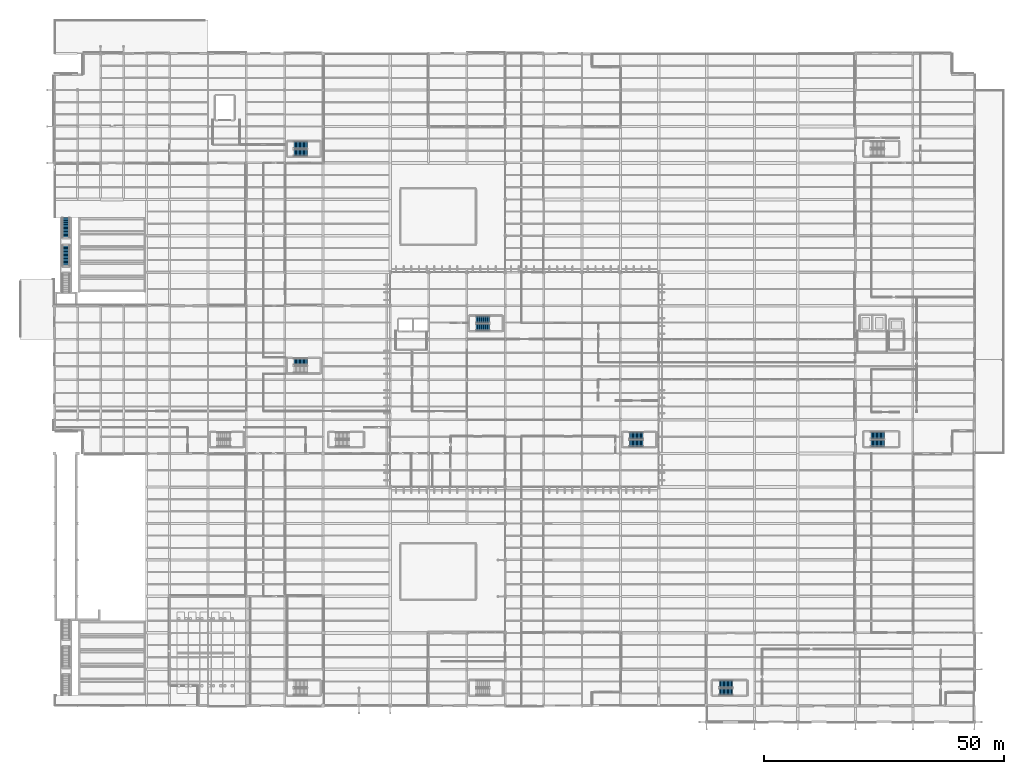
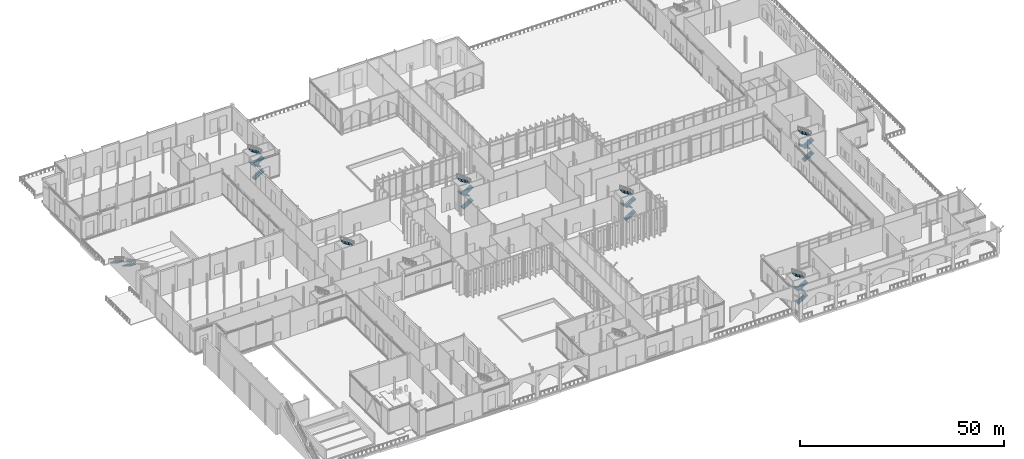
# One storey, part 151 of 176: 23 stair flights, 7 elements without a shape of their own.
"""IFC4 building model written with IfcOpenShell, lengths in metres."""

from ifc_helpers import new_model, si_unit, direction, frame, origin, place, context, subcontext, project, spatial, polyline, outline, extrude, material, type_object, element, aggregate, save


model = new_model("IFC4")

# Units and contexts
model_context = context("Model", 3, precision=1e-05, world=origin(), true_north=direction((0.0, 1.0)))
body_context = subcontext(model_context, "Body", "Model", "MODEL_VIEW")
ifc_project = project(units=[si_unit("LENGTHUNIT", "METRE"), si_unit("AREAUNIT", "SQUARE_METRE"), si_unit("VOLUMEUNIT", "CUBIC_METRE"), si_unit("PLANEANGLEUNIT", "RADIAN"), si_unit("MASSUNIT", "GRAM", prefix="KILO")], contexts=[model_context])

# Site, building, storey
site_placement = place(None, origin())
site = spatial("IfcSite", under=ifc_project, at=site_placement, CompositionType="ELEMENT")
building_placement = place(site_placement, origin())
building = spatial("IfcBuilding", under=site, at=building_placement, Name="Vekula Escarpment Museum", CompositionType="ELEMENT")
storey_placement = place(building_placement, origin())
storey = spatial("IfcBuildingStorey", under=building, at=storey_placement, Name="L01", CompositionType="ELEMENT", Elevation=0.0)

# Stair, stair flights
ifc_material_1 = material(Name="Precast concrete C40/50", Category="concrete")
stair_type_1 = type_object("IfcStairType", Name="STR-AMP-165", PredefinedType="STRAIGHT_RUN_STAIR", material=ifc_material_1)
stair_1_placement = place(storey_placement, origin())
stair_1 = element("IfcStair", 1, at=stair_1_placement, inside=storey, type_object=stair_type_1, Name="North Escarpment Plinth Stair Tier 1 ST-AMP-N1", PredefinedType="STRAIGHT_RUN_STAIR")
ifc_material_2 = material(Name="Precast concrete C40/50", Category="concrete")
stair_flight_type_1 = type_object("IfcStairFlightType", Name="FLT-AMP-165", PredefinedType="STRAIGHT", material=ifc_material_2)
stair_flight_1_placement = place(storey_placement, frame((2.39990234375, 101.7900390625, 0.0), z_axis=(0.0, 0.0, 1.0), x_axis=(0.0, -1.0, 0.0)))
stair_flight_1 = element("IfcStairFlight", 2, at=stair_flight_1_placement, type_object=stair_flight_type_1, Name="ST-AMP-N1 flight 1", NumberOfRisers=15, NumberOfTreads=14, PredefinedType="STRAIGHT", RiserHeight=0.177273, TreadLength=0.29, context=body_context, shape_type="SweptSolid", body=[
    extrude(outline(polyline([(0.0, 0.0), (0.0, 0.17724609375), (0.2900390625, 0.17724609375), (0.2900390625, 0.3544921875), (0.580078125, 0.3544921875), (0.580078125, 0.53173828125), (0.8701171875, 0.53173828125), (0.8701171875, 0.708984375), (1.159912109375, 0.708984375), (1.159912109375, 0.886474609375), (1.449951171875, 0.886474609375), (1.449951171875, 1.063720703125), (1.739990234375, 1.063720703125), (1.739990234375, 1.240966796875), (2.030029296875, 1.240966796875), (2.030029296875, 1.418212890625), (2.320068359375, 1.418212890625), (2.320068359375, 1.595458984375), (2.610107421875, 1.595458984375), (2.610107421875, 1.772705078125), (2.89990234375, 1.772705078125), (2.89990234375, 1.949951171875), (3.18994140625, 1.949951171875), (3.18994140625, 2.127197265625), (3.47998046875, 2.127197265625), (3.47998046875, 2.304443359375), (3.77001953125, 2.304443359375), (3.77001953125, 2.48193359375), (4.06005859375, 2.48193359375), (4.06005859375, 2.6591796875), (4.06005859375, 2.27099609375), (0.344970703125, 0.0), (0.0, 0.0)])), frame((0.0, 0.824951171875, 0.0), z_axis=(0.0, -1.0, 0.0), x_axis=(1.0, 0.0, 0.0)), (0.0, 0.0, 1.0), 1.64990234375),
])
stair_flight_2_placement = place(storey_placement, frame((2.39990234375, 95.8798828125, 2.6591796875), z_axis=(0.0, 0.0, 1.0), x_axis=(0.0, -1.0, 0.0)))
stair_flight_2 = element("IfcStairFlight", 3, at=stair_flight_2_placement, type_object=stair_flight_type_1, Name="ST-AMP-N1 flight 2", NumberOfRisers=15, NumberOfTreads=14, PredefinedType="STRAIGHT", RiserHeight=0.177273, TreadLength=0.29, context=body_context, shape_type="SweptSolid", body=[
    extrude(outline(polyline([(0.0, 0.0), (0.0, 0.17724609375), (0.2900390625, 0.17724609375), (0.2900390625, 0.3544921875), (0.580078125, 0.3544921875), (0.580078125, 0.53173828125), (0.8701171875, 0.53173828125), (0.8701171875, 0.708984375), (1.159912109375, 0.708984375), (1.159912109375, 0.886474609375), (1.449951171875, 0.886474609375), (1.449951171875, 1.063720703125), (1.739990234375, 1.063720703125), (1.739990234375, 1.240966796875), (2.030029296875, 1.240966796875), (2.030029296875, 1.418212890625), (2.320068359375, 1.418212890625), (2.320068359375, 1.595458984375), (2.610107421875, 1.595458984375), (2.610107421875, 1.772705078125), (2.89990234375, 1.772705078125), (2.89990234375, 1.949951171875), (3.18994140625, 1.949951171875), (3.18994140625, 2.127197265625), (3.47998046875, 2.127197265625), (3.47998046875, 2.304443359375), (3.77001953125, 2.304443359375), (3.77001953125, 2.48193359375), (4.06005859375, 2.48193359375), (4.06005859375, 2.6591796875), (4.06005859375, 2.27099609375), (0.344970703125, 0.0), (0.0, 0.0)])), frame((0.0, 0.824951171875, 0.0), z_axis=(0.0, -1.0, 0.0), x_axis=(1.0, 0.0, 0.0)), (0.0, 0.0, 1.0), 1.64990234375),
])
aggregate(stair_1, [stair_flight_1, stair_flight_2])

ifc_material_3 = material(Name="Concrete C35/45", Category="concrete")
stair_type_2 = type_object("IfcStairType", Name="STR-TYPE-142", PredefinedType="HALF_TURN_STAIR", material=ifc_material_3)
stair_2_placement = place(storey_placement, origin())
stair_2 = element("IfcStair", 4, at=stair_2_placement, inside=storey, type_object=stair_type_2, Name="L01 Archive and Lab Exit Stair ST-03", PredefinedType="HALF_TURN_STAIR")
ifc_material_4 = material(Name="Concrete C35/45", Category="concrete")
stair_flight_type_2 = type_object("IfcStairFlightType", Name="FLT-TYPE-142", PredefinedType="STRAIGHT", material=ifc_material_4)
stair_flight_3_placement = place(storey_placement, frame((49.919921875, 115.31005859375, 0.0), z_axis=(0.0, 0.0, 1.0), x_axis=(1.0, 0.0, 0.0)))
stair_flight_3 = element("IfcStairFlight", 5, at=stair_flight_3_placement, type_object=stair_flight_type_2, Name="ST-03 flight 1", NumberOfRisers=11, NumberOfTreads=10, PredefinedType="STRAIGHT", RiserHeight=0.177272727, TreadLength=0.28, context=body_context, shape_type="SweptSolid", body=[
    extrude(outline(polyline([(0.0, 0.0), (0.0, 0.17724609375), (0.280029296875, 0.17724609375), (0.280029296875, 0.3544921875), (0.56005859375, 0.3544921875), (0.56005859375, 0.53173828125), (0.840087890625, 0.53173828125), (0.840087890625, 0.708984375), (1.1201171875, 0.708984375), (1.1201171875, 0.886474609375), (1.39990234375, 0.886474609375), (1.39990234375, 1.063720703125), (1.679931640625, 1.063720703125), (1.679931640625, 1.240966796875), (1.9599609375, 1.240966796875), (1.9599609375, 1.418212890625), (2.239990234375, 1.418212890625), (2.239990234375, 1.595458984375), (2.52001953125, 1.595458984375), (2.52001953125, 1.772705078125), (2.800048828125, 1.772705078125), (2.800048828125, 1.949951171875), (2.800048828125, 1.59521484375), (0.2802734375, 0.0), (0.0, 0.0)])), frame((0.0, 0.7099609375, 0.0), z_axis=(0.0, -1.0, 0.0), x_axis=(1.0, 0.0, 0.0)), (0.0, 0.0, 1.0), 1.419921875),
])
stair_flight_4_placement = place(storey_placement, frame((52.719970703125, 116.929931640625, 1.949951171875), z_axis=(0.0, 0.0, 1.0), x_axis=(-1.0, 0.0, 0.0)))
stair_flight_4 = element("IfcStairFlight", 6, at=stair_flight_4_placement, type_object=stair_flight_type_2, Name="ST-03 flight 2", NumberOfRisers=11, NumberOfTreads=10, PredefinedType="STRAIGHT", RiserHeight=0.177272727, TreadLength=0.28, context=body_context, shape_type="SweptSolid", body=[
    extrude(outline(polyline([(0.0, 0.0), (0.0, 0.17724609375), (0.280029296875, 0.17724609375), (0.280029296875, 0.3544921875), (0.56005859375, 0.3544921875), (0.56005859375, 0.53173828125), (0.840087890625, 0.53173828125), (0.840087890625, 0.708984375), (1.1201171875, 0.708984375), (1.1201171875, 0.886474609375), (1.39990234375, 0.886474609375), (1.39990234375, 1.063720703125), (1.679931640625, 1.063720703125), (1.679931640625, 1.240966796875), (1.9599609375, 1.240966796875), (1.9599609375, 1.418212890625), (2.239990234375, 1.418212890625), (2.239990234375, 1.595458984375), (2.52001953125, 1.595458984375), (2.52001953125, 1.772705078125), (2.800048828125, 1.772705078125), (2.800048828125, 1.949951171875), (2.800048828125, 1.59521484375), (0.2802734375, 0.0), (0.0, 0.0)])), frame((0.0, 0.7099609375, 0.0), z_axis=(0.0, -1.0, 0.0), x_axis=(1.0, 0.0, 0.0)), (0.0, 0.0, 1.0), 1.419921875),
])
stair_flight_5_placement = place(storey_placement, frame((49.919921875, 115.31005859375, 3.89990234375), z_axis=(0.0, 0.0, 1.0), x_axis=(1.0, 0.0, 0.0)))
stair_flight_5 = element("IfcStairFlight", 7, at=stair_flight_5_placement, type_object=stair_flight_type_2, Name="ST-03 flight 3", NumberOfRisers=11, NumberOfTreads=10, PredefinedType="STRAIGHT", RiserHeight=0.177272727, TreadLength=0.28, context=body_context, shape_type="SweptSolid", body=[
    extrude(outline(polyline([(0.0, 0.0), (0.0, 0.17724609375), (0.280029296875, 0.17724609375), (0.280029296875, 0.3544921875), (0.56005859375, 0.3544921875), (0.56005859375, 0.53173828125), (0.840087890625, 0.53173828125), (0.840087890625, 0.708984375), (1.1201171875, 0.708984375), (1.1201171875, 0.886474609375), (1.39990234375, 0.886474609375), (1.39990234375, 1.063720703125), (1.679931640625, 1.063720703125), (1.679931640625, 1.240966796875), (1.9599609375, 1.240966796875), (1.9599609375, 1.418212890625), (2.239990234375, 1.418212890625), (2.239990234375, 1.595458984375), (2.52001953125, 1.595458984375), (2.52001953125, 1.772705078125), (2.800048828125, 1.772705078125), (2.800048828125, 1.949951171875), (2.800048828125, 1.59521484375), (0.2802734375, 0.0), (0.0, 0.0)])), frame((0.0, 0.7099609375, 0.0), z_axis=(0.0, -1.0, 0.0), x_axis=(1.0, 0.0, 0.0)), (0.0, 0.0, 1.0), 1.419921875),
])
stair_flight_6_placement = place(storey_placement, frame((52.719970703125, 116.929931640625, 5.85009765625), z_axis=(0.0, 0.0, 1.0), x_axis=(-1.0, 0.0, 0.0)))
stair_flight_6 = element("IfcStairFlight", 8, at=stair_flight_6_placement, type_object=stair_flight_type_2, Name="ST-03 flight 4", NumberOfRisers=11, NumberOfTreads=10, PredefinedType="STRAIGHT", RiserHeight=0.177272727, TreadLength=0.28, context=body_context, shape_type="SweptSolid", body=[
    extrude(outline(polyline([(0.0, 0.0), (0.0, 0.17724609375), (0.280029296875, 0.17724609375), (0.280029296875, 0.3544921875), (0.56005859375, 0.3544921875), (0.56005859375, 0.53173828125), (0.840087890625, 0.53173828125), (0.840087890625, 0.708984375), (1.1201171875, 0.708984375), (1.1201171875, 0.886474609375), (1.39990234375, 0.886474609375), (1.39990234375, 1.063720703125), (1.679931640625, 1.063720703125), (1.679931640625, 1.240966796875), (1.9599609375, 1.240966796875), (1.9599609375, 1.418212890625), (2.239990234375, 1.418212890625), (2.239990234375, 1.595458984375), (2.52001953125, 1.595458984375), (2.52001953125, 1.772705078125), (2.800048828125, 1.772705078125), (2.800048828125, 1.949951171875), (2.800048828125, 1.59521484375), (0.2802734375, 0.0), (0.0, 0.0)])), frame((0.0, 0.7099609375, 0.0), z_axis=(0.0, -1.0, 0.0), x_axis=(1.0, 0.0, 0.0)), (0.0, 0.0, 1.0), 1.419921875),
])
aggregate(stair_2, [stair_flight_3, stair_flight_4, stair_flight_5, stair_flight_6])

stair_3_placement = place(storey_placement, origin())
stair_3 = element("IfcStair", 9, at=stair_3_placement, inside=storey, type_object=stair_type_2, Name="L01 South Pavilion Exit Stair ST-06", PredefinedType="HALF_TURN_STAIR")
stair_flight_7_placement = place(storey_placement, frame((138.6201171875, 2.909912109375, 0.0), z_axis=(0.0, 0.0, 1.0), x_axis=(1.0, 0.0, 0.0)))
stair_flight_7 = element("IfcStairFlight", 10, at=stair_flight_7_placement, type_object=stair_flight_type_2, Name="ST-06 flight 1", NumberOfRisers=11, NumberOfTreads=10, PredefinedType="STRAIGHT", RiserHeight=0.177272727, TreadLength=0.28, context=body_context, shape_type="SweptSolid", body=[
    extrude(outline(polyline([(0.0, 0.0), (0.0, 0.17724609375), (0.280029296875, 0.17724609375), (0.280029296875, 0.3544921875), (0.56005859375, 0.3544921875), (0.56005859375, 0.53173828125), (0.840087890625, 0.53173828125), (0.840087890625, 0.708984375), (1.1201171875, 0.708984375), (1.1201171875, 0.886474609375), (1.39990234375, 0.886474609375), (1.39990234375, 1.063720703125), (1.679931640625, 1.063720703125), (1.679931640625, 1.240966796875), (1.9599609375, 1.240966796875), (1.9599609375, 1.418212890625), (2.239990234375, 1.418212890625), (2.239990234375, 1.595458984375), (2.52001953125, 1.595458984375), (2.52001953125, 1.772705078125), (2.800048828125, 1.772705078125), (2.800048828125, 1.949951171875), (2.800048828125, 1.59521484375), (0.2802734375, 0.0), (0.0, 0.0)])), frame((0.0, 0.7099609375, 0.0), z_axis=(0.0, -1.0, 0.0), x_axis=(1.0, 0.0, 0.0)), (0.0, 0.0, 1.0), 1.419921875),
])
stair_flight_8_placement = place(storey_placement, frame((141.419921875, 4.530029296875, 1.949951171875), z_axis=(0.0, 0.0, 1.0), x_axis=(-1.0, 0.0, 0.0)))
stair_flight_8 = element("IfcStairFlight", 11, at=stair_flight_8_placement, type_object=stair_flight_type_2, Name="ST-06 flight 2", NumberOfRisers=11, NumberOfTreads=10, PredefinedType="STRAIGHT", RiserHeight=0.177272727, TreadLength=0.28, context=body_context, shape_type="SweptSolid", body=[
    extrude(outline(polyline([(0.0, 0.0), (0.0, 0.17724609375), (0.280029296875, 0.17724609375), (0.280029296875, 0.3544921875), (0.56005859375, 0.3544921875), (0.56005859375, 0.53173828125), (0.840087890625, 0.53173828125), (0.840087890625, 0.708984375), (1.1201171875, 0.708984375), (1.1201171875, 0.886474609375), (1.39990234375, 0.886474609375), (1.39990234375, 1.063720703125), (1.679931640625, 1.063720703125), (1.679931640625, 1.240966796875), (1.9599609375, 1.240966796875), (1.9599609375, 1.418212890625), (2.239990234375, 1.418212890625), (2.239990234375, 1.595458984375), (2.52001953125, 1.595458984375), (2.52001953125, 1.772705078125), (2.800048828125, 1.772705078125), (2.800048828125, 1.949951171875), (2.800048828125, 1.59521484375), (0.2802734375, 0.0), (0.0, 0.0)])), frame((0.0, 0.7099609375, 0.0), z_axis=(0.0, -1.0, 0.0), x_axis=(1.0, 0.0, 0.0)), (0.0, 0.0, 1.0), 1.419921875),
])
stair_flight_9_placement = place(storey_placement, frame((138.6201171875, 2.909912109375, 3.89990234375), z_axis=(0.0, 0.0, 1.0), x_axis=(1.0, 0.0, 0.0)))
stair_flight_9 = element("IfcStairFlight", 12, at=stair_flight_9_placement, type_object=stair_flight_type_2, Name="ST-06 flight 3", NumberOfRisers=11, NumberOfTreads=10, PredefinedType="STRAIGHT", RiserHeight=0.177272727, TreadLength=0.28, context=body_context, shape_type="SweptSolid", body=[
    extrude(outline(polyline([(0.0, 0.0), (0.0, 0.17724609375), (0.280029296875, 0.17724609375), (0.280029296875, 0.3544921875), (0.56005859375, 0.3544921875), (0.56005859375, 0.53173828125), (0.840087890625, 0.53173828125), (0.840087890625, 0.708984375), (1.1201171875, 0.708984375), (1.1201171875, 0.886474609375), (1.39990234375, 0.886474609375), (1.39990234375, 1.063720703125), (1.679931640625, 1.063720703125), (1.679931640625, 1.240966796875), (1.9599609375, 1.240966796875), (1.9599609375, 1.418212890625), (2.239990234375, 1.418212890625), (2.239990234375, 1.595458984375), (2.52001953125, 1.595458984375), (2.52001953125, 1.772705078125), (2.800048828125, 1.772705078125), (2.800048828125, 1.949951171875), (2.800048828125, 1.59521484375), (0.2802734375, 0.0), (0.0, 0.0)])), frame((0.0, 0.7099609375, 0.0), z_axis=(0.0, -1.0, 0.0), x_axis=(1.0, 0.0, 0.0)), (0.0, 0.0, 1.0), 1.419921875),
])
stair_flight_10_placement = place(storey_placement, frame((141.419921875, 4.530029296875, 5.85009765625), z_axis=(0.0, 0.0, 1.0), x_axis=(-1.0, 0.0, 0.0)))
stair_flight_10 = element("IfcStairFlight", 13, at=stair_flight_10_placement, type_object=stair_flight_type_2, Name="ST-06 flight 4", NumberOfRisers=11, NumberOfTreads=10, PredefinedType="STRAIGHT", RiserHeight=0.177272727, TreadLength=0.28, context=body_context, shape_type="SweptSolid", body=[
    extrude(outline(polyline([(0.0, 0.0), (0.0, 0.17724609375), (0.280029296875, 0.17724609375), (0.280029296875, 0.3544921875), (0.56005859375, 0.3544921875), (0.56005859375, 0.53173828125), (0.840087890625, 0.53173828125), (0.840087890625, 0.708984375), (1.1201171875, 0.708984375), (1.1201171875, 0.886474609375), (1.39990234375, 0.886474609375), (1.39990234375, 1.063720703125), (1.679931640625, 1.063720703125), (1.679931640625, 1.240966796875), (1.9599609375, 1.240966796875), (1.9599609375, 1.418212890625), (2.239990234375, 1.418212890625), (2.239990234375, 1.595458984375), (2.52001953125, 1.595458984375), (2.52001953125, 1.772705078125), (2.800048828125, 1.772705078125), (2.800048828125, 1.949951171875), (2.800048828125, 1.59521484375), (0.2802734375, 0.0), (0.0, 0.0)])), frame((0.0, 0.7099609375, 0.0), z_axis=(0.0, -1.0, 0.0), x_axis=(1.0, 0.0, 0.0)), (0.0, 0.0, 1.0), 1.419921875),
])
aggregate(stair_3, [stair_flight_7, stair_flight_8, stair_flight_9, stair_flight_10])

stair_4_placement = place(storey_placement, origin())
stair_4 = element("IfcStair", 14, at=stair_4_placement, inside=storey, type_object=stair_type_2, Name="L01 Great Hall East Exit Stair ST-08", PredefinedType="HALF_TURN_STAIR")
stair_flight_11_placement = place(storey_placement, frame((119.919921875, 54.7099609375, 0.0), z_axis=(0.0, 0.0, 1.0), x_axis=(1.0, 0.0, 0.0)))
stair_flight_11 = element("IfcStairFlight", 15, at=stair_flight_11_placement, type_object=stair_flight_type_2, Name="ST-08 flight 1", NumberOfRisers=11, NumberOfTreads=10, PredefinedType="STRAIGHT", RiserHeight=0.177272727, TreadLength=0.28, context=body_context, shape_type="SweptSolid", body=[
    extrude(outline(polyline([(0.0, 0.0), (0.0, 0.17724609375), (0.280029296875, 0.17724609375), (0.280029296875, 0.3544921875), (0.56005859375, 0.3544921875), (0.56005859375, 0.53173828125), (0.840087890625, 0.53173828125), (0.840087890625, 0.708984375), (1.1201171875, 0.708984375), (1.1201171875, 0.886474609375), (1.39990234375, 0.886474609375), (1.39990234375, 1.063720703125), (1.679931640625, 1.063720703125), (1.679931640625, 1.240966796875), (1.9599609375, 1.240966796875), (1.9599609375, 1.418212890625), (2.239990234375, 1.418212890625), (2.239990234375, 1.595458984375), (2.52001953125, 1.595458984375), (2.52001953125, 1.772705078125), (2.800048828125, 1.772705078125), (2.800048828125, 1.949951171875), (2.800048828125, 1.59521484375), (0.2802734375, 0.0), (0.0, 0.0)])), frame((0.0, 0.7099609375, 0.0), z_axis=(0.0, -1.0, 0.0), x_axis=(1.0, 0.0, 0.0)), (0.0, 0.0, 1.0), 1.419921875),
])
stair_flight_12_placement = place(storey_placement, frame((122.719970703125, 56.330078125, 1.949951171875), z_axis=(0.0, 0.0, 1.0), x_axis=(-1.0, 0.0, 0.0)))
stair_flight_12 = element("IfcStairFlight", 16, at=stair_flight_12_placement, type_object=stair_flight_type_2, Name="ST-08 flight 2", NumberOfRisers=11, NumberOfTreads=10, PredefinedType="STRAIGHT", RiserHeight=0.177272727, TreadLength=0.28, context=body_context, shape_type="SweptSolid", body=[
    extrude(outline(polyline([(0.0, 0.0), (0.0, 0.17724609375), (0.280029296875, 0.17724609375), (0.280029296875, 0.3544921875), (0.56005859375, 0.3544921875), (0.56005859375, 0.53173828125), (0.840087890625, 0.53173828125), (0.840087890625, 0.708984375), (1.1201171875, 0.708984375), (1.1201171875, 0.886474609375), (1.39990234375, 0.886474609375), (1.39990234375, 1.063720703125), (1.679931640625, 1.063720703125), (1.679931640625, 1.240966796875), (1.9599609375, 1.240966796875), (1.9599609375, 1.418212890625), (2.239990234375, 1.418212890625), (2.239990234375, 1.595458984375), (2.52001953125, 1.595458984375), (2.52001953125, 1.772705078125), (2.800048828125, 1.772705078125), (2.800048828125, 1.949951171875), (2.800048828125, 1.59521484375), (0.2802734375, 0.0), (0.0, 0.0)])), frame((0.0, 0.7099609375, 0.0), z_axis=(0.0, -1.0, 0.0), x_axis=(1.0, 0.0, 0.0)), (0.0, 0.0, 1.0), 1.419921875),
])
stair_flight_13_placement = place(storey_placement, frame((119.919921875, 54.7099609375, 3.89990234375), z_axis=(0.0, 0.0, 1.0), x_axis=(1.0, 0.0, 0.0)))
stair_flight_13 = element("IfcStairFlight", 17, at=stair_flight_13_placement, type_object=stair_flight_type_2, Name="ST-08 flight 3", NumberOfRisers=11, NumberOfTreads=10, PredefinedType="STRAIGHT", RiserHeight=0.177272727, TreadLength=0.28, context=body_context, shape_type="SweptSolid", body=[
    extrude(outline(polyline([(0.0, 0.0), (0.0, 0.17724609375), (0.280029296875, 0.17724609375), (0.280029296875, 0.3544921875), (0.56005859375, 0.3544921875), (0.56005859375, 0.53173828125), (0.840087890625, 0.53173828125), (0.840087890625, 0.708984375), (1.1201171875, 0.708984375), (1.1201171875, 0.886474609375), (1.39990234375, 0.886474609375), (1.39990234375, 1.063720703125), (1.679931640625, 1.063720703125), (1.679931640625, 1.240966796875), (1.9599609375, 1.240966796875), (1.9599609375, 1.418212890625), (2.239990234375, 1.418212890625), (2.239990234375, 1.595458984375), (2.52001953125, 1.595458984375), (2.52001953125, 1.772705078125), (2.800048828125, 1.772705078125), (2.800048828125, 1.949951171875), (2.800048828125, 1.59521484375), (0.2802734375, 0.0), (0.0, 0.0)])), frame((0.0, 0.7099609375, 0.0), z_axis=(0.0, -1.0, 0.0), x_axis=(1.0, 0.0, 0.0)), (0.0, 0.0, 1.0), 1.419921875),
])
stair_flight_14_placement = place(storey_placement, frame((122.719970703125, 56.330078125, 5.85009765625), z_axis=(0.0, 0.0, 1.0), x_axis=(-1.0, 0.0, 0.0)))
stair_flight_14 = element("IfcStairFlight", 18, at=stair_flight_14_placement, type_object=stair_flight_type_2, Name="ST-08 flight 4", NumberOfRisers=11, NumberOfTreads=10, PredefinedType="STRAIGHT", RiserHeight=0.177272727, TreadLength=0.28, context=body_context, shape_type="SweptSolid", body=[
    extrude(outline(polyline([(0.0, 0.0), (0.0, 0.17724609375), (0.280029296875, 0.17724609375), (0.280029296875, 0.3544921875), (0.56005859375, 0.3544921875), (0.56005859375, 0.53173828125), (0.840087890625, 0.53173828125), (0.840087890625, 0.708984375), (1.1201171875, 0.708984375), (1.1201171875, 0.886474609375), (1.39990234375, 0.886474609375), (1.39990234375, 1.063720703125), (1.679931640625, 1.063720703125), (1.679931640625, 1.240966796875), (1.9599609375, 1.240966796875), (1.9599609375, 1.418212890625), (2.239990234375, 1.418212890625), (2.239990234375, 1.595458984375), (2.52001953125, 1.595458984375), (2.52001953125, 1.772705078125), (2.800048828125, 1.772705078125), (2.800048828125, 1.949951171875), (2.800048828125, 1.59521484375), (0.2802734375, 0.0), (0.0, 0.0)])), frame((0.0, 0.7099609375, 0.0), z_axis=(0.0, -1.0, 0.0), x_axis=(1.0, 0.0, 0.0)), (0.0, 0.0, 1.0), 1.419921875),
])
aggregate(stair_4, [stair_flight_11, stair_flight_12, stair_flight_13, stair_flight_14])

stair_5_placement = place(storey_placement, origin())
stair_5 = element("IfcStair", 19, at=stair_5_placement, inside=storey, type_object=stair_type_2, Name="L01 Great Hall North Exit Stair ST-09", PredefinedType="HALF_TURN_STAIR")
stair_flight_15_placement = place(storey_placement, frame((87.919921875, 78.909912109375, 0.0), z_axis=(0.0, 0.0, 1.0), x_axis=(1.0, 0.0, 0.0)))
stair_flight_15 = element("IfcStairFlight", 20, at=stair_flight_15_placement, type_object=stair_flight_type_2, Name="ST-09 flight 1", NumberOfRisers=11, NumberOfTreads=10, PredefinedType="STRAIGHT", RiserHeight=0.177272727, TreadLength=0.28, context=body_context, shape_type="SweptSolid", body=[
    extrude(outline(polyline([(0.0, 0.0), (0.0, 0.17724609375), (0.280029296875, 0.17724609375), (0.280029296875, 0.3544921875), (0.56005859375, 0.3544921875), (0.56005859375, 0.53173828125), (0.840087890625, 0.53173828125), (0.840087890625, 0.708984375), (1.1201171875, 0.708984375), (1.1201171875, 0.886474609375), (1.39990234375, 0.886474609375), (1.39990234375, 1.063720703125), (1.679931640625, 1.063720703125), (1.679931640625, 1.240966796875), (1.9599609375, 1.240966796875), (1.9599609375, 1.418212890625), (2.239990234375, 1.418212890625), (2.239990234375, 1.595458984375), (2.52001953125, 1.595458984375), (2.52001953125, 1.772705078125), (2.800048828125, 1.772705078125), (2.800048828125, 1.949951171875), (2.800048828125, 1.59521484375), (0.2802734375, 0.0), (0.0, 0.0)])), frame((0.0, 0.7099609375, 0.0), z_axis=(0.0, -1.0, 0.0), x_axis=(1.0, 0.0, 0.0)), (0.0, 0.0, 1.0), 1.419921875),
])
stair_flight_16_placement = place(storey_placement, frame((90.719970703125, 80.530029296875, 1.949951171875), z_axis=(0.0, 0.0, 1.0), x_axis=(-1.0, 0.0, 0.0)))
stair_flight_16 = element("IfcStairFlight", 21, at=stair_flight_16_placement, type_object=stair_flight_type_2, Name="ST-09 flight 2", NumberOfRisers=11, NumberOfTreads=10, PredefinedType="STRAIGHT", RiserHeight=0.177272727, TreadLength=0.28, context=body_context, shape_type="SweptSolid", body=[
    extrude(outline(polyline([(0.0, 0.0), (0.0, 0.17724609375), (0.280029296875, 0.17724609375), (0.280029296875, 0.3544921875), (0.56005859375, 0.3544921875), (0.56005859375, 0.53173828125), (0.840087890625, 0.53173828125), (0.840087890625, 0.708984375), (1.1201171875, 0.708984375), (1.1201171875, 0.886474609375), (1.39990234375, 0.886474609375), (1.39990234375, 1.063720703125), (1.679931640625, 1.063720703125), (1.679931640625, 1.240966796875), (1.9599609375, 1.240966796875), (1.9599609375, 1.418212890625), (2.239990234375, 1.418212890625), (2.239990234375, 1.595458984375), (2.52001953125, 1.595458984375), (2.52001953125, 1.772705078125), (2.800048828125, 1.772705078125), (2.800048828125, 1.949951171875), (2.800048828125, 1.59521484375), (0.2802734375, 0.0), (0.0, 0.0)])), frame((0.0, 0.7099609375, 0.0), z_axis=(0.0, -1.0, 0.0), x_axis=(1.0, 0.0, 0.0)), (0.0, 0.0, 1.0), 1.419921875),
])
stair_flight_17_placement = place(storey_placement, frame((87.919921875, 78.909912109375, 3.89990234375), z_axis=(0.0, 0.0, 1.0), x_axis=(1.0, 0.0, 0.0)))
stair_flight_17 = element("IfcStairFlight", 22, at=stair_flight_17_placement, type_object=stair_flight_type_2, Name="ST-09 flight 3", NumberOfRisers=11, NumberOfTreads=10, PredefinedType="STRAIGHT", RiserHeight=0.177272727, TreadLength=0.28, context=body_context, shape_type="SweptSolid", body=[
    extrude(outline(polyline([(0.0, 0.0), (0.0, 0.17724609375), (0.280029296875, 0.17724609375), (0.280029296875, 0.3544921875), (0.56005859375, 0.3544921875), (0.56005859375, 0.53173828125), (0.840087890625, 0.53173828125), (0.840087890625, 0.708984375), (1.1201171875, 0.708984375), (1.1201171875, 0.886474609375), (1.39990234375, 0.886474609375), (1.39990234375, 1.063720703125), (1.679931640625, 1.063720703125), (1.679931640625, 1.240966796875), (1.9599609375, 1.240966796875), (1.9599609375, 1.418212890625), (2.239990234375, 1.418212890625), (2.239990234375, 1.595458984375), (2.52001953125, 1.595458984375), (2.52001953125, 1.772705078125), (2.800048828125, 1.772705078125), (2.800048828125, 1.949951171875), (2.800048828125, 1.59521484375), (0.2802734375, 0.0), (0.0, 0.0)])), frame((0.0, 0.7099609375, 0.0), z_axis=(0.0, -1.0, 0.0), x_axis=(1.0, 0.0, 0.0)), (0.0, 0.0, 1.0), 1.419921875),
])
stair_flight_18_placement = place(storey_placement, frame((90.719970703125, 80.530029296875, 5.85009765625), z_axis=(0.0, 0.0, 1.0), x_axis=(-1.0, 0.0, 0.0)))
stair_flight_18 = element("IfcStairFlight", 23, at=stair_flight_18_placement, type_object=stair_flight_type_2, Name="ST-09 flight 4", NumberOfRisers=11, NumberOfTreads=10, PredefinedType="STRAIGHT", RiserHeight=0.177272727, TreadLength=0.28, context=body_context, shape_type="SweptSolid", body=[
    extrude(outline(polyline([(0.0, 0.0), (0.0, 0.17724609375), (0.280029296875, 0.17724609375), (0.280029296875, 0.3544921875), (0.56005859375, 0.3544921875), (0.56005859375, 0.53173828125), (0.840087890625, 0.53173828125), (0.840087890625, 0.708984375), (1.1201171875, 0.708984375), (1.1201171875, 0.886474609375), (1.39990234375, 0.886474609375), (1.39990234375, 1.063720703125), (1.679931640625, 1.063720703125), (1.679931640625, 1.240966796875), (1.9599609375, 1.240966796875), (1.9599609375, 1.418212890625), (2.239990234375, 1.418212890625), (2.239990234375, 1.595458984375), (2.52001953125, 1.595458984375), (2.52001953125, 1.772705078125), (2.800048828125, 1.772705078125), (2.800048828125, 1.949951171875), (2.800048828125, 1.59521484375), (0.2802734375, 0.0), (0.0, 0.0)])), frame((0.0, 0.7099609375, 0.0), z_axis=(0.0, -1.0, 0.0), x_axis=(1.0, 0.0, 0.0)), (0.0, 0.0, 1.0), 1.419921875),
])
aggregate(stair_5, [stair_flight_15, stair_flight_16, stair_flight_17, stair_flight_18])

# Stair, stair flight
stair_6_placement = place(storey_placement, origin())
stair_6 = element("IfcStair", 24, at=stair_6_placement, inside=storey, type_object=stair_type_2, Name="L01 Plinth Mid Exit Stair ST-10", PredefinedType="HALF_TURN_STAIR")
stair_flight_19_placement = place(storey_placement, frame((52.719970703125, 71.72998046875, 5.85009765625), z_axis=(0.0, 0.0, 1.0), x_axis=(-1.0, 0.0, 0.0)))
stair_flight_19 = element("IfcStairFlight", 25, at=stair_flight_19_placement, type_object=stair_flight_type_2, Name="ST-10 flight 4", NumberOfRisers=11, NumberOfTreads=10, PredefinedType="STRAIGHT", RiserHeight=0.177272727, TreadLength=0.28, context=body_context, shape_type="SweptSolid", body=[
    extrude(outline(polyline([(0.0, 0.0), (0.0, 0.17724609375), (0.280029296875, 0.17724609375), (0.280029296875, 0.3544921875), (0.56005859375, 0.3544921875), (0.56005859375, 0.53173828125), (0.840087890625, 0.53173828125), (0.840087890625, 0.708984375), (1.1201171875, 0.708984375), (1.1201171875, 0.886474609375), (1.39990234375, 0.886474609375), (1.39990234375, 1.063720703125), (1.679931640625, 1.063720703125), (1.679931640625, 1.240966796875), (1.9599609375, 1.240966796875), (1.9599609375, 1.418212890625), (2.239990234375, 1.418212890625), (2.239990234375, 1.595458984375), (2.52001953125, 1.595458984375), (2.52001953125, 1.772705078125), (2.800048828125, 1.772705078125), (2.800048828125, 1.949951171875), (2.800048828125, 1.59521484375), (0.2802734375, 0.0), (0.0, 0.0)])), frame((0.0, 0.7099609375, 0.0), z_axis=(0.0, -1.0, 0.0), x_axis=(1.0, 0.0, 0.0)), (0.0, 0.0, 1.0), 1.419921875),
])
aggregate(stair_6, [stair_flight_19])

# Stair, stair flights
ifc_material_5 = material(Name="Concrete C35/45", Category="concrete")
stair_type_3 = type_object("IfcStairType", Name="STR-TYPE-145", PredefinedType="HALF_TURN_STAIR", material=ifc_material_5)
stair_7_placement = place(storey_placement, origin())
stair_7 = element("IfcStair", 26, at=stair_7_placement, inside=storey, type_object=stair_type_3, Name="L01 East Gallery Exit Stair ST-02", PredefinedType="HALF_TURN_STAIR")
ifc_material_6 = material(Name="Concrete C35/45", Category="concrete")
stair_flight_type_3 = type_object("IfcStairFlightType", Name="FLT-TYPE-145", PredefinedType="STRAIGHT", material=ifc_material_6)
stair_flight_20_placement = place(storey_placement, frame((170.25, 54.72509765625, 0.0), z_axis=(0.0, 0.0, 1.0), x_axis=(1.0, 0.0, 0.0)))
stair_flight_20 = element("IfcStairFlight", 27, at=stair_flight_20_placement, type_object=stair_flight_type_3, Name="ST-02 flight 1", NumberOfRisers=11, NumberOfTreads=10, PredefinedType="STRAIGHT", RiserHeight=0.177272727, TreadLength=0.28, context=body_context, shape_type="SweptSolid", body=[
    extrude(outline(polyline([(0.0, 0.0), (0.0, 0.17724609375), (0.280029296875, 0.17724609375), (0.280029296875, 0.3544921875), (0.56005859375, 0.3544921875), (0.56005859375, 0.53173828125), (0.840087890625, 0.53173828125), (0.840087890625, 0.708984375), (1.1201171875, 0.708984375), (1.1201171875, 0.886474609375), (1.39990234375, 0.886474609375), (1.39990234375, 1.063720703125), (1.679931640625, 1.063720703125), (1.679931640625, 1.240966796875), (1.9599609375, 1.240966796875), (1.9599609375, 1.418212890625), (2.239990234375, 1.418212890625), (2.239990234375, 1.595458984375), (2.52001953125, 1.595458984375), (2.52001953125, 1.772705078125), (2.800048828125, 1.772705078125), (2.800048828125, 1.949951171875), (2.800048828125, 1.59521484375), (0.2802734375, 0.0), (0.0, 0.0)])), frame((0.0, 0.72509765625, 0.0), z_axis=(0.0, -1.0, 0.0), x_axis=(1.0, 0.0, 0.0)), (0.0, 0.0, 1.0), 1.449951171875),
])
stair_flight_21_placement = place(storey_placement, frame((173.050048828125, 56.375, 1.949951171875), z_axis=(0.0, 0.0, 1.0), x_axis=(-1.0, 0.0, 0.0)))
stair_flight_21 = element("IfcStairFlight", 28, at=stair_flight_21_placement, type_object=stair_flight_type_3, Name="ST-02 flight 2", NumberOfRisers=11, NumberOfTreads=10, PredefinedType="STRAIGHT", RiserHeight=0.177272727, TreadLength=0.28, context=body_context, shape_type="SweptSolid", body=[
    extrude(outline(polyline([(0.0, 0.0), (0.0, 0.17724609375), (0.280029296875, 0.17724609375), (0.280029296875, 0.3544921875), (0.56005859375, 0.3544921875), (0.56005859375, 0.53173828125), (0.840087890625, 0.53173828125), (0.840087890625, 0.708984375), (1.1201171875, 0.708984375), (1.1201171875, 0.886474609375), (1.39990234375, 0.886474609375), (1.39990234375, 1.063720703125), (1.679931640625, 1.063720703125), (1.679931640625, 1.240966796875), (1.9599609375, 1.240966796875), (1.9599609375, 1.418212890625), (2.239990234375, 1.418212890625), (2.239990234375, 1.595458984375), (2.52001953125, 1.595458984375), (2.52001953125, 1.772705078125), (2.800048828125, 1.772705078125), (2.800048828125, 1.949951171875), (2.800048828125, 1.59521484375), (0.2802734375, 0.0), (0.0, 0.0)])), frame((0.0, 0.72509765625, 0.0), z_axis=(0.0, -1.0, 0.0), x_axis=(1.0, 0.0, 0.0)), (0.0, 0.0, 1.0), 1.449951171875),
])
stair_flight_22_placement = place(storey_placement, frame((170.25, 54.72509765625, 3.89990234375), z_axis=(0.0, 0.0, 1.0), x_axis=(1.0, 0.0, 0.0)))
stair_flight_22 = element("IfcStairFlight", 29, at=stair_flight_22_placement, type_object=stair_flight_type_3, Name="ST-02 flight 3", NumberOfRisers=11, NumberOfTreads=10, PredefinedType="STRAIGHT", RiserHeight=0.177272727, TreadLength=0.28, context=body_context, shape_type="SweptSolid", body=[
    extrude(outline(polyline([(0.0, 0.0), (0.0, 0.17724609375), (0.280029296875, 0.17724609375), (0.280029296875, 0.3544921875), (0.56005859375, 0.3544921875), (0.56005859375, 0.53173828125), (0.840087890625, 0.53173828125), (0.840087890625, 0.708984375), (1.1201171875, 0.708984375), (1.1201171875, 0.886474609375), (1.39990234375, 0.886474609375), (1.39990234375, 1.063720703125), (1.679931640625, 1.063720703125), (1.679931640625, 1.240966796875), (1.9599609375, 1.240966796875), (1.9599609375, 1.418212890625), (2.239990234375, 1.418212890625), (2.239990234375, 1.595458984375), (2.52001953125, 1.595458984375), (2.52001953125, 1.772705078125), (2.800048828125, 1.772705078125), (2.800048828125, 1.949951171875), (2.800048828125, 1.59521484375), (0.2802734375, 0.0), (0.0, 0.0)])), frame((0.0, 0.72509765625, 0.0), z_axis=(0.0, -1.0, 0.0), x_axis=(1.0, 0.0, 0.0)), (0.0, 0.0, 1.0), 1.449951171875),
])
stair_flight_23_placement = place(storey_placement, frame((173.050048828125, 56.375, 5.85009765625), z_axis=(0.0, 0.0, 1.0), x_axis=(-1.0, 0.0, 0.0)))
stair_flight_23 = element("IfcStairFlight", 30, at=stair_flight_23_placement, type_object=stair_flight_type_3, Name="ST-02 flight 4", NumberOfRisers=11, NumberOfTreads=10, PredefinedType="STRAIGHT", RiserHeight=0.177272727, TreadLength=0.28, context=body_context, shape_type="SweptSolid", body=[
    extrude(outline(polyline([(0.0, 0.0), (0.0, 0.17724609375), (0.280029296875, 0.17724609375), (0.280029296875, 0.3544921875), (0.56005859375, 0.3544921875), (0.56005859375, 0.53173828125), (0.840087890625, 0.53173828125), (0.840087890625, 0.708984375), (1.1201171875, 0.708984375), (1.1201171875, 0.886474609375), (1.39990234375, 0.886474609375), (1.39990234375, 1.063720703125), (1.679931640625, 1.063720703125), (1.679931640625, 1.240966796875), (1.9599609375, 1.240966796875), (1.9599609375, 1.418212890625), (2.239990234375, 1.418212890625), (2.239990234375, 1.595458984375), (2.52001953125, 1.595458984375), (2.52001953125, 1.772705078125), (2.800048828125, 1.772705078125), (2.800048828125, 1.949951171875), (2.800048828125, 1.59521484375), (0.2802734375, 0.0), (0.0, 0.0)])), frame((0.0, 0.72509765625, 0.0), z_axis=(0.0, -1.0, 0.0), x_axis=(1.0, 0.0, 0.0)), (0.0, 0.0, 1.0), 1.449951171875),
])
aggregate(stair_7, [stair_flight_20, stair_flight_21, stair_flight_22, stair_flight_23])

save(model, "model.ifc")
